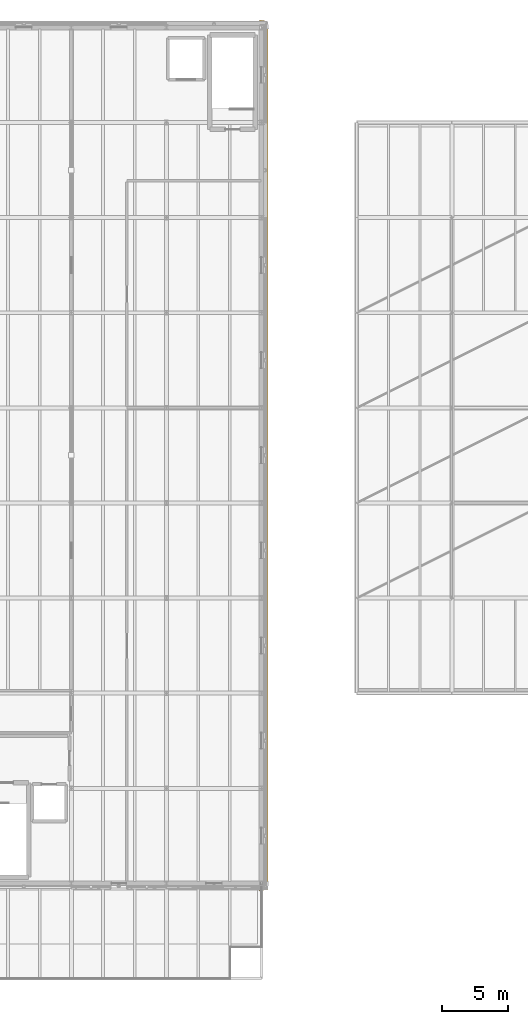
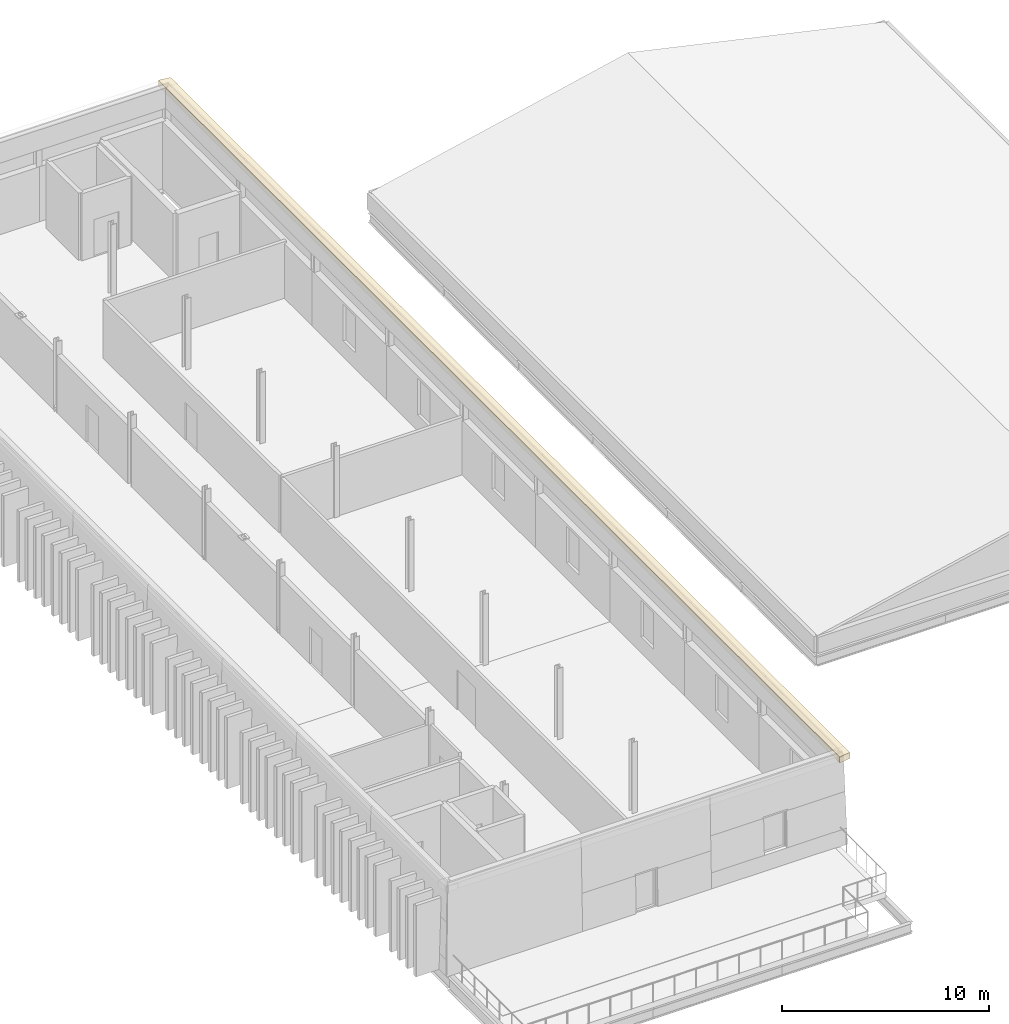
# One storey, part 41 of 44: 1 covering.
"""IFC4 building model written with IfcOpenShell, lengths in metres."""

from ifc_helpers import new_model, si_unit, direction, frame, origin, place, context, subcontext, project, spatial, polyline, outline, extrude, material, layer, layer_set, type_object, element, save


model = new_model("IFC4")

# Units and contexts
model_context = context("Model", 3, precision=1e-05, world=origin(), true_north=direction((0.0, 1.0)))
body_context = subcontext(model_context, "Body", "Model", "MODEL_VIEW")
ifc_project = project(units=[si_unit("LENGTHUNIT", "METRE"), si_unit("AREAUNIT", "SQUARE_METRE"), si_unit("VOLUMEUNIT", "CUBIC_METRE"), si_unit("PLANEANGLEUNIT", "RADIAN"), si_unit("MASSUNIT", "GRAM", prefix="KILO")], contexts=[model_context])

# Site, building, storey
site_placement = place(None, origin())
site = spatial("IfcSite", under=ifc_project, at=site_placement, CompositionType="ELEMENT")
building_placement = place(site_placement, origin())
building = spatial("IfcBuilding", under=site, at=building_placement, Name="Narikvali Park Central Library", CompositionType="ELEMENT")
storey_placement = place(building_placement, frame((0.0, 0.0, 22.800048828125)))
storey = spatial("IfcBuildingStorey", under=building, at=storey_placement, Name="L05", CompositionType="ELEMENT", Elevation=22.800048828125)

# Covering
ifc_material = material(Name="White Carved Limestone Cornice", Category="masonry")
ifc_layer = layer(ifc_material, 0.360107421875, Name="White Carved Limestone Cornice")
ifc_layer_set = layer_set([ifc_layer], Name="White Carved Limestone Cornice")
covering_type = type_object("IfcCoveringType", Name="Classical Projecting White Limestone Cornice", PredefinedType="CLADDING", material=ifc_layer_set)
covering_placement = place(storey_placement, frame((0.0, 0.0, 5.079833984375)))
element("IfcCovering", 1, at=covering_placement, inside=storey, type_object=covering_type, Name="V5 Main Hall of Books Classical Roof Cornice E", PredefinedType="CLADDING", context=body_context, shape_type="SweptSolid", body=[
    extrude(outline(polyline([(21.4599609375, 42.639892578125), (21.4599609375, 108.56005859375), (22.080078125, 108.4599609375), (22.080078125, 42.739990234375), (21.4599609375, 42.639892578125)])), origin(), (0.0, 0.0, 1.0), 0.360107421875),
])

save(model, "model.ifc")
